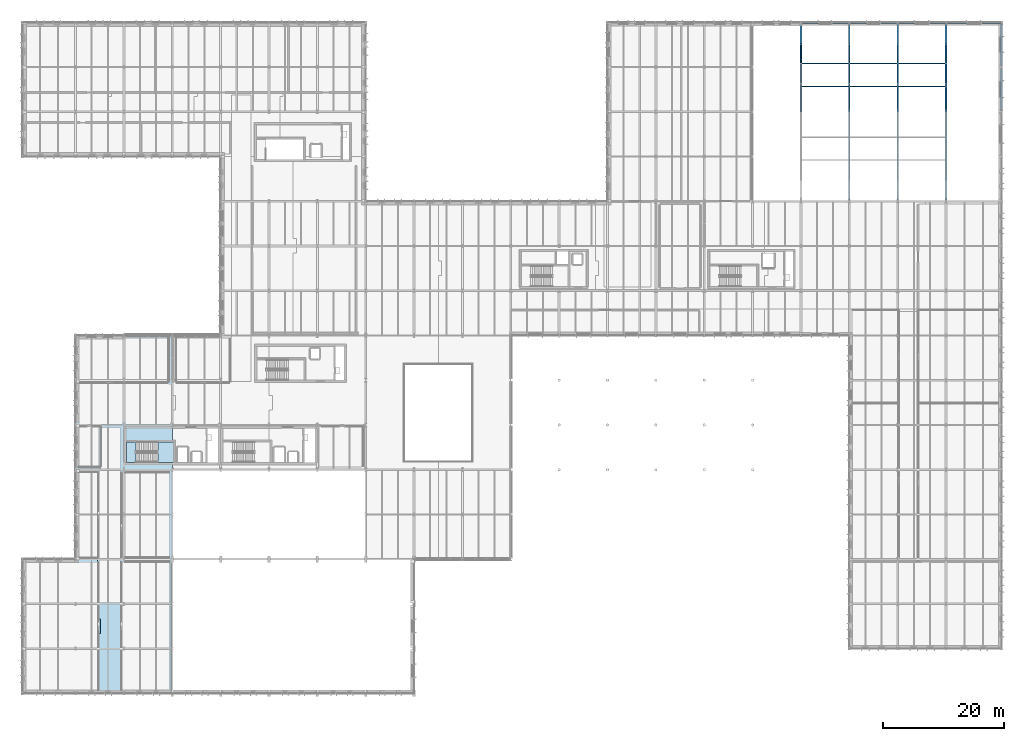
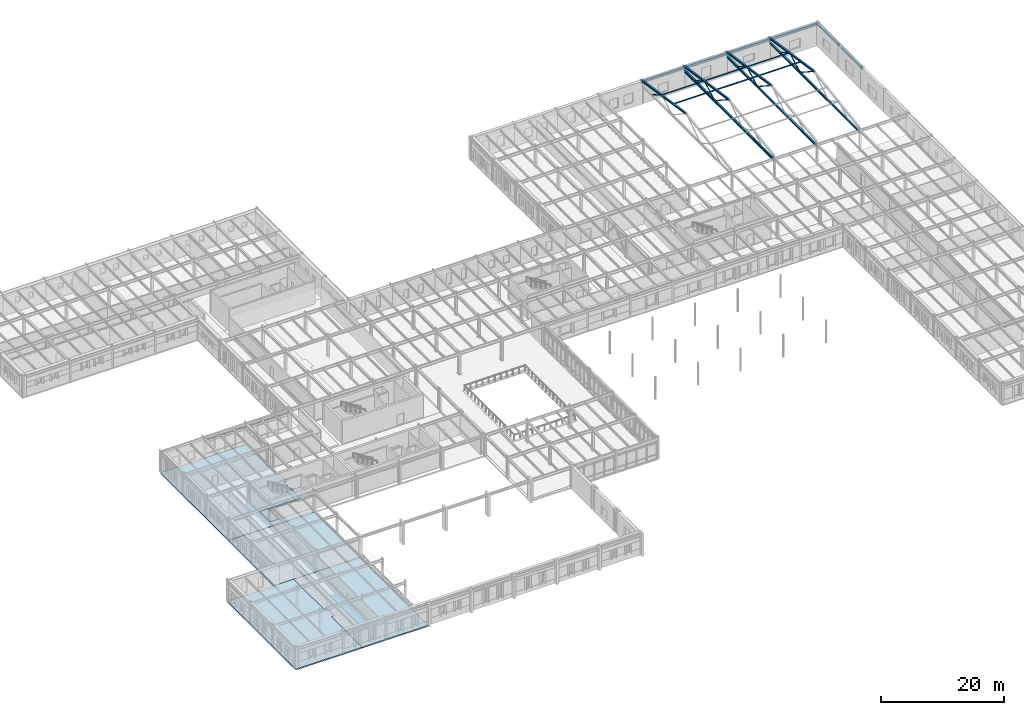
# One storey, part 28 of 75: 23 members, 6 beams, 6 slabs, 1 element without a shape of its own.
"""IFC4 building model written with IfcOpenShell, lengths in metres."""

from ifc_helpers import new_model, si_unit, direction, frame, origin, origin_2d, place, context, subcontext, project, spatial, polyline, hollow_rectangle, hollow_circle, i_section, outline, extrude, material, layer, layer_set, material_profile, profile_set, type_object, element, aggregate, save


model = new_model("IFC4")

# Units and contexts
model_context = context("Model", 3, precision=1e-05, world=origin(), true_north=direction((0.0, 1.0)))
body_context = subcontext(model_context, "Body", "Model", "MODEL_VIEW")
ifc_project = project(units=[si_unit("LENGTHUNIT", "METRE"), si_unit("AREAUNIT", "SQUARE_METRE"), si_unit("VOLUMEUNIT", "CUBIC_METRE"), si_unit("PLANEANGLEUNIT", "RADIAN"), si_unit("MASSUNIT", "GRAM", prefix="KILO")], contexts=[model_context])

# Site, building, storey
site_placement = place(None, origin())
site = spatial("IfcSite", under=ifc_project, at=site_placement, CompositionType="ELEMENT")
building_placement = place(site_placement, origin())
building = spatial("IfcBuilding", under=site, at=building_placement, Name="Valkorina Park Police Headquarters", CompositionType="ELEMENT")
storey_placement = place(building_placement, frame((0.0, 0.0, 5.39990234375)))
storey = spatial("IfcBuildingStorey", under=building, at=storey_placement, Name="L02", CompositionType="ELEMENT", Elevation=5.39990234375)

# Beams
ifc_material_1 = material(Name="Steel S355", Category="steel")
ifc_material_profile_1 = material_profile(ifc_material_1, i_section(OverallWidth=0.300048828125, OverallDepth=0.489990234375, WebThickness=0.011962890625, FlangeThickness=0.02294921875, FilletRadius=0.027099609375, at=origin_2d()), Name="HEA 500")
ifc_profile_set_1 = profile_set([ifc_material_profile_1], Name="Steel S355")
beam_type = type_object("IfcBeamType", Name="BM-S355-HEA500-SPN", PredefinedType="SPANDREL", material=ifc_profile_set_1)
for number, where, z_axis, x_axis, name in (
    (1, (128.806884765625, 111.0, 3.9951171875), (1.0, 0.0, 0.0), (0.0, 1.0, 0.0), "L02 Framing Beam 1445"),
    (2, (136.806884765625, 111.0, 3.9951171875), (1.0, 0.0, 0.0), (0.0, 1.0, 0.0), "L02 Framing Beam 1446"),
    (3, (144.806884765625, 111.0, 3.9951171875), (1.0, 0.0, 0.0), (0.0, 1.0, 0.0), "L02 Framing Beam 1447"),
):
    element("IfcBeam", number, at=place(storey_placement, frame(where, z_axis=z_axis, x_axis=x_axis)), inside=storey, type_object=beam_type, Name=name, PredefinedType="SPANDREL", context=body_context, shape_type="SweptSolid", body=[
        extrude(i_section(OverallWidth=0.300048828125, OverallDepth=0.489990234375, WebThickness=0.011962890625, FlangeThickness=0.02294921875, FilletRadius=0.027099609375, at=origin_2d()), origin(), (0.0, 0.0, 1.0), 7.986083984375),
    ])
beam_placement = place(storey_placement, frame((152.806884765625, 111.0, 3.9951171875), z_axis=(1.0, 0.0, 0.0), x_axis=(0.0, 1.0, 0.0)))
element("IfcBeam", 4, at=beam_placement, inside=storey, type_object=beam_type, Name="L02 Framing Beam 1448", PredefinedType="SPANDREL", context=body_context, shape_type="SweptSolid", body=[
    extrude(i_section(OverallWidth=0.300048828125, OverallDepth=0.489990234375, WebThickness=0.011962890625, FlangeThickness=0.02294921875, FilletRadius=0.027099609375, at=origin_2d()), origin(), (0.0, 0.0, 1.0), 9.18603515625),
])
for number, where, z_axis, x_axis, name in (
    (5, (162.0, 96.425048828125, 3.9951171875), (0.0, 1.0, 0.0), (-1.0, 0.0, 0.0), "L02 Framing Beam 1841"),
    (6, (162.0, 103.824951171875, 3.9951171875), (0.0, 1.0, 0.0), (-1.0, 0.0, 0.0), "L02 Framing Beam 1842"),
):
    element("IfcBeam", number, at=place(storey_placement, frame(where, z_axis=z_axis, x_axis=x_axis)), inside=storey, type_object=beam_type, Name=name, PredefinedType="SPANDREL", context=body_context, shape_type="SweptSolid", body=[
        extrude(i_section(OverallWidth=0.300048828125, OverallDepth=0.489990234375, WebThickness=0.011962890625, FlangeThickness=0.02294921875, FilletRadius=0.027099609375, at=origin_2d()), origin(), (0.0, 0.0, 1.0), 6.949951171875),
    ])

# Members
ifc_material_profile_2 = material_profile(ifc_material_1, hollow_circle(Radius=0.096923828125, WallThickness=0.010009765625, at=origin_2d()), Name="CHS 193.7x10")
ifc_profile_set_2 = profile_set([ifc_material_profile_2], Name="Steel S355")
member_type_1 = type_object("IfcMemberType", Name="MB-S355-CHS193-BRC", PredefinedType="BRACE", material=ifc_profile_set_2)
member_1_placement = place(storey_placement, frame((128.800048828125, 104.199951171875, 5.52001953125), z_axis=(0.0, 0.869261620131, -0.494352339701), x_axis=(-1.0, 0.0, 0.0)))
element("IfcMember", 7, at=member_1_placement, inside=storey, type_object=member_type_1, Name="V3 Gym Roof Truss Web W6 128", PredefinedType="BRACE", context=body_context, shape_type="SweptSolid", body=[
    extrude(hollow_circle(Radius=0.096923828125, WallThickness=0.010009765625, at=origin_2d()), origin(), (0.0, 0.0, 1.0), 3.68115234375),
])
member_2_placement = place(storey_placement, frame((136.800048828125, 96.199951171875, 6.7001953125), z_axis=(0.0, 0.837615903066, -0.546259644245), x_axis=(-1.0, 0.0, 0.0)))
element("IfcMember", 8, at=member_2_placement, inside=storey, type_object=member_type_1, Name="V3 Gym Roof Truss Web W4 136", PredefinedType="BRACE", context=body_context, shape_type="SweptSolid", body=[
    extrude(hollow_circle(Radius=0.096923828125, WallThickness=0.010009765625, at=origin_2d()), origin(), (0.0, 0.0, 1.0), 5.491943359375),
])
member_3_placement = place(storey_placement, frame((136.800048828125, 100.800048828125, 3.7001953125), z_axis=(0.0, 0.881647443041, 0.471908662963), x_axis=(-1.0, 0.0, 0.0)))
element("IfcMember", 9, at=member_3_placement, inside=storey, type_object=member_type_1, Name="V3 Gym Roof Truss Web W5 136", PredefinedType="BRACE", context=body_context, shape_type="SweptSolid", body=[
    extrude(hollow_circle(Radius=0.096923828125, WallThickness=0.010009765625, at=origin_2d()), origin(), (0.0, 0.0, 1.0), 3.856201171875),
])
member_4_placement = place(storey_placement, frame((136.800048828125, 104.199951171875, 5.52001953125), z_axis=(0.0, 0.869261620131, -0.494352339701), x_axis=(-1.0, 0.0, 0.0)))
element("IfcMember", 10, at=member_4_placement, inside=storey, type_object=member_type_1, Name="V3 Gym Roof Truss Web W6 136", PredefinedType="BRACE", context=body_context, shape_type="SweptSolid", body=[
    extrude(hollow_circle(Radius=0.096923828125, WallThickness=0.010009765625, at=origin_2d()), origin(), (0.0, 0.0, 1.0), 3.68115234375),
])
member_5_placement = place(storey_placement, frame((144.800048828125, 96.199951171875, 6.7001953125), z_axis=(0.0, 0.837615903066, -0.546259644245), x_axis=(-1.0, 0.0, 0.0)))
element("IfcMember", 11, at=member_5_placement, inside=storey, type_object=member_type_1, Name="V3 Gym Roof Truss Web W4 144", PredefinedType="BRACE", context=body_context, shape_type="SweptSolid", body=[
    extrude(hollow_circle(Radius=0.096923828125, WallThickness=0.010009765625, at=origin_2d()), origin(), (0.0, 0.0, 1.0), 5.491943359375),
])
member_6_placement = place(storey_placement, frame((144.800048828125, 100.800048828125, 3.7001953125), z_axis=(0.0, 0.881647443041, 0.471908662963), x_axis=(-1.0, 0.0, 0.0)))
element("IfcMember", 12, at=member_6_placement, inside=storey, type_object=member_type_1, Name="V3 Gym Roof Truss Web W5 144", PredefinedType="BRACE", context=body_context, shape_type="SweptSolid", body=[
    extrude(hollow_circle(Radius=0.096923828125, WallThickness=0.010009765625, at=origin_2d()), origin(), (0.0, 0.0, 1.0), 3.856201171875),
])
member_7_placement = place(storey_placement, frame((144.800048828125, 104.199951171875, 5.52001953125), z_axis=(0.0, 0.869261620131, -0.494352339701), x_axis=(-1.0, 0.0, 0.0)))
element("IfcMember", 13, at=member_7_placement, inside=storey, type_object=member_type_1, Name="V3 Gym Roof Truss Web W6 144", PredefinedType="BRACE", context=body_context, shape_type="SweptSolid", body=[
    extrude(hollow_circle(Radius=0.096923828125, WallThickness=0.010009765625, at=origin_2d()), origin(), (0.0, 0.0, 1.0), 3.68115234375),
])
member_8_placement = place(storey_placement, frame((152.800048828125, 96.199951171875, 6.7001953125), z_axis=(0.0, 0.837615903066, -0.546259644245), x_axis=(-1.0, 0.0, 0.0)))
element("IfcMember", 14, at=member_8_placement, inside=storey, type_object=member_type_1, Name="V3 Gym Roof Truss Web W4 152", PredefinedType="BRACE", context=body_context, shape_type="SweptSolid", body=[
    extrude(hollow_circle(Radius=0.096923828125, WallThickness=0.010009765625, at=origin_2d()), origin(), (0.0, 0.0, 1.0), 5.491943359375),
])
member_9_placement = place(storey_placement, frame((152.800048828125, 100.800048828125, 3.7001953125), z_axis=(0.0, 0.881647443041, 0.471908662963), x_axis=(-1.0, 0.0, 0.0)))
element("IfcMember", 15, at=member_9_placement, inside=storey, type_object=member_type_1, Name="V3 Gym Roof Truss Web W5 152", PredefinedType="BRACE", context=body_context, shape_type="SweptSolid", body=[
    extrude(hollow_circle(Radius=0.096923828125, WallThickness=0.010009765625, at=origin_2d()), origin(), (0.0, 0.0, 1.0), 3.856201171875),
])
member_10_placement = place(storey_placement, frame((152.800048828125, 104.199951171875, 5.52001953125), z_axis=(0.0, 0.869261620131, -0.494352339701), x_axis=(-1.0, 0.0, 0.0)))
element("IfcMember", 16, at=member_10_placement, inside=storey, type_object=member_type_1, Name="V3 Gym Roof Truss Web W6 152", PredefinedType="BRACE", context=body_context, shape_type="SweptSolid", body=[
    extrude(hollow_circle(Radius=0.096923828125, WallThickness=0.010009765625, at=origin_2d()), origin(), (0.0, 0.0, 1.0), 3.68115234375),
])
ifc_material_profile_3 = material_profile(ifc_material_1, i_section(OverallWidth=0.300048828125, OverallDepth=0.330078125, WebThickness=0.009521484375, FlangeThickness=0.0166015625, FilletRadius=0.027099609375, at=origin_2d()), Name="HEA 340")
ifc_profile_set_3 = profile_set([ifc_material_profile_3], Name="Steel S355")
member_type_2 = type_object("IfcMemberType", Name="MB-S355-HEA340-CHD", PredefinedType="CHORD", material=ifc_profile_set_3)
for number, where, z_axis, x_axis, name in (
    (17, (128.800048828125, 96.199951171875, 6.7001953125), (0.0, 0.988996663286, -0.147937824807), (-1.0, 0.0, 0.0), "V3 Gym Roof Truss Top Rafter N 128"),
    (18, (136.800048828125, 96.199951171875, 6.7001953125), (0.0, 0.988996663286, -0.147937824807), (-1.0, 0.0, 0.0), "V3 Gym Roof Truss Top Rafter N 136"),
):
    element("IfcMember", number, at=place(storey_placement, frame(where, z_axis=z_axis, x_axis=x_axis)), inside=storey, type_object=member_type_2, Name=name, PredefinedType="CHORD", context=body_context, shape_type="SweptSolid", body=[
        extrude(i_section(OverallWidth=0.300048828125, OverallDepth=0.330078125, WebThickness=0.009521484375, FlangeThickness=0.0166015625, FilletRadius=0.027099609375, at=origin_2d()), origin(), (0.0, 0.0, 1.0), 14.737060546875),
    ])
member_11_placement = place(storey_placement, frame((144.800048828125, 81.625, 3.7001953125), z_axis=(0.0, 1.0, 0.0), x_axis=(-1.0, 0.0, 0.0)))
element("IfcMember", 19, at=member_11_placement, inside=storey, type_object=member_type_2, Name="V3 Gym Roof Truss Bottom Chord 144", PredefinedType="CHORD", context=body_context, shape_type="SweptSolid", body=[
    extrude(i_section(OverallWidth=0.300048828125, OverallDepth=0.330078125, WebThickness=0.009521484375, FlangeThickness=0.0166015625, FilletRadius=0.027099609375, at=origin_2d()), origin(), (0.0, 0.0, 1.0), 29.14990234375),
])
member_12_placement = place(storey_placement, frame((144.800048828125, 96.199951171875, 6.7001953125), z_axis=(0.0, 0.988996663286, -0.147937824807), x_axis=(-1.0, 0.0, 0.0)))
element("IfcMember", 20, at=member_12_placement, inside=storey, type_object=member_type_2, Name="V3 Gym Roof Truss Top Rafter N 144", PredefinedType="CHORD", context=body_context, shape_type="SweptSolid", body=[
    extrude(i_section(OverallWidth=0.300048828125, OverallDepth=0.330078125, WebThickness=0.009521484375, FlangeThickness=0.0166015625, FilletRadius=0.027099609375, at=origin_2d()), origin(), (0.0, 0.0, 1.0), 14.737060546875),
])
member_13_placement = place(storey_placement, frame((152.800048828125, 81.625, 3.7001953125), z_axis=(0.0, 1.0, 0.0), x_axis=(-1.0, 0.0, 0.0)))
element("IfcMember", 21, at=member_13_placement, inside=storey, type_object=member_type_2, Name="V3 Gym Roof Truss Bottom Chord 152", PredefinedType="CHORD", context=body_context, shape_type="SweptSolid", body=[
    extrude(i_section(OverallWidth=0.300048828125, OverallDepth=0.330078125, WebThickness=0.009521484375, FlangeThickness=0.0166015625, FilletRadius=0.027099609375, at=origin_2d()), origin(), (0.0, 0.0, 1.0), 29.14990234375),
])
member_14_placement = place(storey_placement, frame((152.800048828125, 96.199951171875, 6.7001953125), z_axis=(0.0, 0.988996663286, -0.147937824807), x_axis=(-1.0, 0.0, 0.0)))
element("IfcMember", 22, at=member_14_placement, inside=storey, type_object=member_type_2, Name="V3 Gym Roof Truss Top Rafter N 152", PredefinedType="CHORD", context=body_context, shape_type="SweptSolid", body=[
    extrude(i_section(OverallWidth=0.300048828125, OverallDepth=0.330078125, WebThickness=0.009521484375, FlangeThickness=0.0166015625, FilletRadius=0.027099609375, at=origin_2d()), origin(), (0.0, 0.0, 1.0), 14.737060546875),
])
ifc_material_profile_4 = material_profile(ifc_material_1, i_section(OverallWidth=0.300048828125, OverallDepth=0.449951171875, WebThickness=0.013916015625, FlangeThickness=0.02587890625, FilletRadius=0.027099609375, at=origin_2d()), Name="HEB 450")
ifc_profile_set_4 = profile_set([ifc_material_profile_4], Name="Steel S355")
member_type_3 = type_object("IfcMemberType", Name="MB-S355-HEB450-CHD", PredefinedType="CHORD", material=ifc_profile_set_4)
member_15_placement = place(storey_placement, frame((136.800048828125, 81.625, 3.7001953125), z_axis=(0.0, 1.0, 0.0), x_axis=(-1.0, 0.0, 0.0)))
element("IfcMember", 23, at=member_15_placement, inside=storey, type_object=member_type_3, Name="V3 Gym Roof Truss Bottom Chord 136", PredefinedType="CHORD", context=body_context, shape_type="SweptSolid", body=[
    extrude(i_section(OverallWidth=0.300048828125, OverallDepth=0.449951171875, WebThickness=0.013916015625, FlangeThickness=0.02587890625, FilletRadius=0.027099609375, at=origin_2d()), origin(), (0.0, 0.0, 1.0), 29.14990234375),
])
ifc_material_profile_5 = material_profile(ifc_material_1, i_section(OverallWidth=0.1201171875, OverallDepth=0.239990234375, WebThickness=0.006103515625, FlangeThickness=0.009765625, FilletRadius=0.014892578125, at=origin_2d()), Name="IPE 240")
ifc_profile_set_5 = profile_set([ifc_material_profile_5], Name="Steel S355")
member_type_4 = type_object("IfcMemberType", Name="MB-S355-IPE240-PRL", PredefinedType="PURLIN", material=ifc_profile_set_5)
for number, where, z_axis, x_axis, name in (
    (24, (128.81005859375, 100.39990234375, 6.10009765625), (1.0, 0.0, 0.0), (0.0, 1.0, 0.0), "V3 Roof Purlin 128-PN2"),
    (25, (136.81005859375, 100.39990234375, 6.10009765625), (1.0, 0.0, 0.0), (0.0, 1.0, 0.0), "V3 Roof Purlin 136-PN2"),
    (26, (144.81005859375, 100.39990234375, 6.10009765625), (1.0, 0.0, 0.0), (0.0, 1.0, 0.0), "V3 Roof Purlin 144-PN2"),
):
    element("IfcMember", number, at=place(storey_placement, frame(where, z_axis=z_axis, x_axis=x_axis)), inside=storey, type_object=member_type_4, Name=name, PredefinedType="PURLIN", context=body_context, shape_type="SweptSolid", body=[
        extrude(i_section(OverallWidth=0.1201171875, OverallDepth=0.239990234375, WebThickness=0.006103515625, FlangeThickness=0.009765625, FilletRadius=0.014892578125, at=origin_2d()), origin(), (0.0, 0.0, 1.0), 7.97998046875),
    ])
ifc_material_profile_6 = material_profile(ifc_material_1, hollow_rectangle(XDim=0.10009765625, YDim=0.199951171875, WallThickness=0.008056640625, at=origin_2d()), Name="RHS 200x100x8")
ifc_profile_set_6 = profile_set([ifc_material_profile_6], Name="Steel S355")
member_type_5 = type_object("IfcMemberType", Name="MB-S355-RHS200-PRL", PredefinedType="PURLIN", material=ifc_profile_set_6)
for number, where, z_axis, x_axis, name in (
    (27, (128.81005859375, 104.199951171875, 5.570068359375), (1.0, 0.0, 0.0), (0.0, 1.0, 0.0), "V3 Roof Purlin 128-PN1"),
    (28, (136.81005859375, 104.199951171875, 5.570068359375), (1.0, 0.0, 0.0), (0.0, 1.0, 0.0), "V3 Roof Purlin 136-PN1"),
    (29, (144.81005859375, 104.199951171875, 5.570068359375), (1.0, 0.0, 0.0), (0.0, 1.0, 0.0), "V3 Roof Purlin 144-PN1"),
):
    element("IfcMember", number, at=place(storey_placement, frame(where, z_axis=z_axis, x_axis=x_axis)), inside=storey, type_object=member_type_5, Name=name, PredefinedType="PURLIN", context=body_context, shape_type="SweptSolid", body=[
        extrude(hollow_rectangle(XDim=0.10009765625, YDim=0.199951171875, WallThickness=0.008056640625, at=origin_2d()), origin(), (0.0, 0.0, 1.0), 7.97998046875),
    ])

# Stair, slab
ifc_material_2 = material(Name="Concrete C35/45", Category="concrete")
stair_type = type_object("IfcStairType", Name="ST-DOGLEG-160-45", PredefinedType="HALF_TURN_STAIR", material=ifc_material_2)
stair_placement = place(storey_placement, origin())
stair = element("IfcStair", 30, at=stair_placement, inside=storey, type_object=stair_type, Name="L02 Core C1 Protected Stair (ST-03)", PredefinedType="HALF_TURN_STAIR")
ifc_layer_1 = layer(ifc_material_2, 0.22998046875)
ifc_layer_set_1 = layer_set([ifc_layer_1], Name="Concrete C35/45")
slab_type_1 = type_object("IfcSlabType", Name="SL-LANDING-230", PredefinedType="LANDING", material=ifc_layer_set_1)
slab_1_placement = place(storey_placement, frame((0.0, 0.0, 2.02001953125)))
slab_1 = element("IfcSlab", 31, at=slab_1_placement, type_object=slab_type_1, Name="ST-03 landing 1", PredefinedType="LANDING", context=body_context, shape_type="SweptSolid", body=[
    extrude(outline(polyline([(22.39990234375, 38.199951171875), (25.0, 38.199951171875), (25.0, 41.60009765625), (22.39990234375, 41.60009765625), (22.39990234375, 38.199951171875)])), origin(), (0.0, 0.0, 1.0), 0.22998046875),
])
aggregate(stair, [slab_1])

# Slabs
ifc_layer_2 = layer(ifc_material_2, 0.260009765625)
ifc_layer_set_2 = layer_set([ifc_layer_2], Name="Concrete C35/45")
slab_type_2 = type_object("IfcSlabType", Name="SL-PODIUM-260", PredefinedType="FLOOR", material=ifc_layer_set_2)
slab_2_placement = place(storey_placement, frame((0.0, 0.0, -0.260009765625)))
element("IfcSlab", 32, at=slab_2_placement, inside=storey, type_object=slab_type_2, Name="L02 Structural Floor Slab 32", PredefinedType="FLOOR", context=body_context, shape_type="SweptSolid", body=[
    extrude(outline(polyline([(12.39990234375, 0.0), (12.39990234375, 9.89990234375), (12.949951171875, 9.89990234375), (12.949951171875, 12.300048828125), (12.39990234375, 12.300048828125), (12.39990234375, 22.199951171875), (0.0, 22.199951171875), (0.0, 0.0), (12.39990234375, 0.0)])), origin(), (0.0, 0.0, 1.0), 0.260009765625),
])
slab_3_placement = place(storey_placement, frame((0.0, 0.0, -0.260009765625)))
element("IfcSlab", 33, at=slab_3_placement, inside=storey, type_object=slab_type_2, Name="L02 Structural Floor Slab 33", PredefinedType="FLOOR", context=body_context, shape_type="SweptSolid", body=[
    extrude(outline(polyline([(12.39990234375, 22.199951171875), (12.39990234375, 12.300048828125), (12.949951171875, 12.300048828125), (12.949951171875, 9.89990234375), (12.39990234375, 9.89990234375), (12.39990234375, 0.0), (24.800048828125, 0.0), (24.800048828125, 22.199951171875), (12.39990234375, 22.199951171875)])), origin(), (0.0, 0.0, 1.0), 0.260009765625),
])
slab_4_placement = place(storey_placement, frame((0.0, 0.0, -0.260009765625)))
element("IfcSlab", 34, at=slab_4_placement, inside=storey, type_object=slab_type_2, Name="L02 Structural Floor Slab 34", PredefinedType="FLOOR", context=body_context, shape_type="SweptSolid", body=[
    extrude(outline(polyline([(24.800048828125, 22.199951171875), (24.800048828125, 37.0), (8.800048828125, 37.0), (8.800048828125, 22.199951171875), (24.800048828125, 22.199951171875)])), origin(), (0.0, 0.0, 1.0), 0.260009765625),
])
slab_5_placement = place(storey_placement, frame((0.0, 0.0, -0.260009765625)))
element("IfcSlab", 35, at=slab_5_placement, inside=storey, type_object=slab_type_2, Name="L02 Structural Floor Slab 35", PredefinedType="FLOOR", context=body_context, shape_type="SweptSolid", body=[
    extrude(outline(polyline([(25.35009765625, 49.2958984375), (24.800048828125, 49.2958984375), (24.800048828125, 59.19189453125), (8.800048828125, 59.19189453125), (8.800048828125, 37.0), (24.800048828125, 37.0), (24.800048828125, 38.199951171875), (17.199951171875, 38.199951171875), (17.199951171875, 41.60009765625), (24.800048828125, 41.60009765625), (24.800048828125, 46.89599609375), (25.35009765625, 46.89599609375), (25.35009765625, 49.2958984375)])), origin(), (0.0, 0.0, 1.0), 0.260009765625),
])
ifc_material_3 = material(Name="Concrete C40/50", Category="concrete")
ifc_layer_3 = layer(ifc_material_3, 0.300048828125)
ifc_layer_set_3 = layer_set([ifc_layer_3], Name="Concrete C40/50")
slab_type_3 = type_object("IfcSlabType", Name="SL-VAULT-300", PredefinedType="FLOOR", material=ifc_layer_set_3)
slab_6_placement = place(storey_placement, frame((0.0, 0.0, -0.2998046875)))
element("IfcSlab", 36, at=slab_6_placement, inside=storey, type_object=slab_type_3, Name="L02 Core C1 Structural Floor Landing Slab", PredefinedType="FLOOR", context=body_context, shape_type="SweptSolid", body=[
    extrude(outline(polyline([(17.199951171875, 38.199951171875), (18.800048828125, 38.199951171875), (18.800048828125, 41.60009765625), (17.199951171875, 41.60009765625), (17.199951171875, 38.199951171875)])), origin(), (0.0, 0.0, 1.0), 0.2998046875),
])

save(model, "model.ifc")
